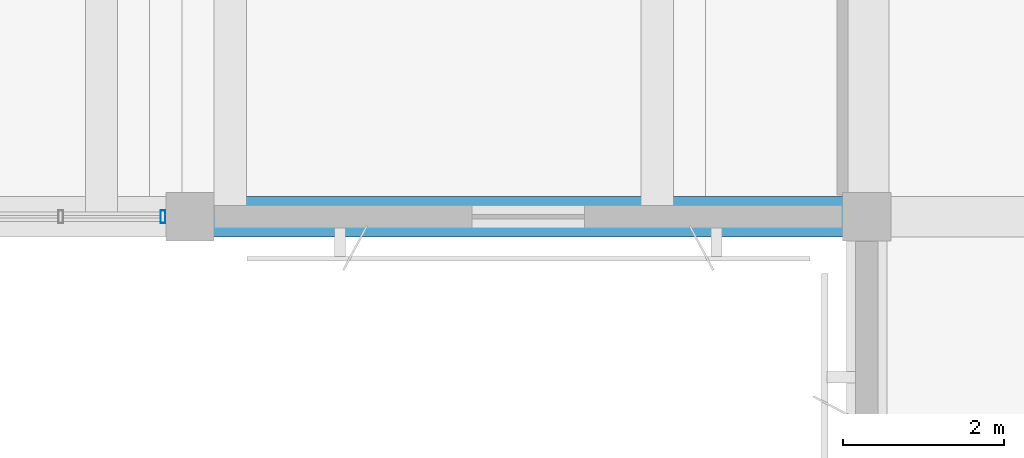
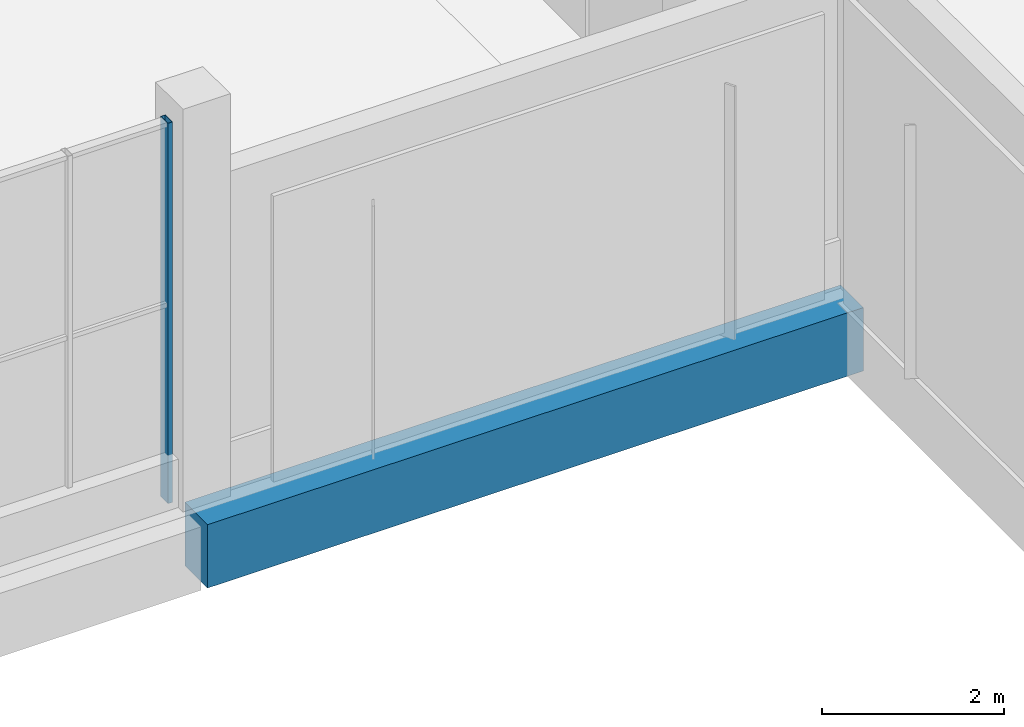
# One storey, part 20 of 132: 1 beam, 1 member, 1 element without a shape of its own.
"""IFC4 building model written with IfcOpenShell, lengths in metres."""

from ifc_helpers import new_model, si_unit, direction, frame, origin, origin_2d, place, context, subcontext, project, spatial, rectangle, hollow_rectangle, extrude, material, material_profile, profile_set, type_object, element, aggregate, save


model = new_model("IFC4")

# Units and contexts
model_context = context("Model", 3, precision=1e-05, world=origin(), true_north=direction((0.0, 1.0)))
body_context = subcontext(model_context, "Body", "Model", "MODEL_VIEW")
ifc_project = project(units=[si_unit("LENGTHUNIT", "METRE"), si_unit("AREAUNIT", "SQUARE_METRE"), si_unit("VOLUMEUNIT", "CUBIC_METRE"), si_unit("PLANEANGLEUNIT", "RADIAN"), si_unit("MASSUNIT", "GRAM", prefix="KILO")], contexts=[model_context])

# Site, building, storey
site_placement = place(None, origin())
site = spatial("IfcSite", under=ifc_project, at=site_placement, CompositionType="ELEMENT")
building_placement = place(site_placement, origin())
building = spatial("IfcBuilding", under=site, at=building_placement, Name="Khurvash Pelagic Aquarium", CompositionType="ELEMENT")
storey_placement = place(building_placement, frame((0.0, 0.0, 5.39990234375)))
storey = spatial("IfcBuildingStorey", under=building, at=storey_placement, Name="L01", CompositionType="ELEMENT", Elevation=5.39990234375)

# Curtain wall, member
ifc_material_1 = material(Name="Anodised aluminium and low-E laminated glass", Category="aluminium")
curtain_wall_type = type_object("IfcCurtainWallType", Name="CW-05", PredefinedType="USERDEFINED", material=ifc_material_1)
curtain_wall_placement = place(storey_placement, origin())
curtain_wall = element("IfcCurtainWall", 1, at=curtain_wall_placement, inside=storey, type_object=curtain_wall_type, Name="L01 Facade Unitised Curtain Wall CW-05 0127", ObjectType="UNITISED CURTAIN WALL", PredefinedType="USERDEFINED")
ifc_material_2 = material(Name="Extruded aluminium AW-6063-T6", Category="aluminium")
ifc_material_profile_1 = material_profile(ifc_material_2, hollow_rectangle(XDim=0.06005859375, YDim=0.159912109375, WallThickness=0.00390625, at=origin_2d()), Name="CWM60X160X4")
ifc_profile_set_1 = profile_set([ifc_material_profile_1], Name="Extruded aluminium AW-6063-T6")
member_type = type_object("IfcMemberType", Name="CM-02", PredefinedType="MULLION", material=ifc_profile_set_1)
member_placement = place(storey_placement, frame((8.06494140625, 56.89990234375, 0.0), z_axis=(0.0, 0.0, 1.0), x_axis=(1.0, 0.0, 0.0)))
member = element("IfcMember", 2, at=member_placement, type_object=member_type, Name="CW-05 mullion 7", PredefinedType="MULLION", context=body_context, shape_type="SweptSolid", body=[
    extrude(hollow_rectangle(XDim=0.06005859375, YDim=0.159912109375, WallThickness=0.00390625, at=origin_2d()), origin(), (0.0, 0.0, 1.0), 5.10009765625),
])
aggregate(curtain_wall, [member])

# Beam
ifc_material_3 = material(Name="Concrete C40/50", Category="concrete")
ifc_material_profile_2 = material_profile(ifc_material_3, rectangle(XDim=0.5, YDim=0.85009765625, at=origin_2d()), Name="RC500X850")
ifc_profile_set_2 = profile_set([ifc_material_profile_2], Name="Concrete C40/50")
beam_type = type_object("IfcBeamType", Name="SEB-03", PredefinedType="SPANDREL", material=ifc_profile_set_2)
beam_placement = place(storey_placement, frame((8.43994140625, 56.89990234375, -0.744873046875), z_axis=(1.0, 0.0, 0.0), x_axis=(0.0, 1.0, 0.0)))
element("IfcBeam", 3, at=beam_placement, inside=storey, type_object=beam_type, Name="L01 Primary Girder SEB-03 00294", PredefinedType="SPANDREL", context=body_context, shape_type="SweptSolid", body=[
    extrude(rectangle(XDim=0.5, YDim=0.85009765625, at=origin_2d()), origin(), (0.0, 0.0, 1.0), 8.320068359375),
])

save(model, "model.ifc")
